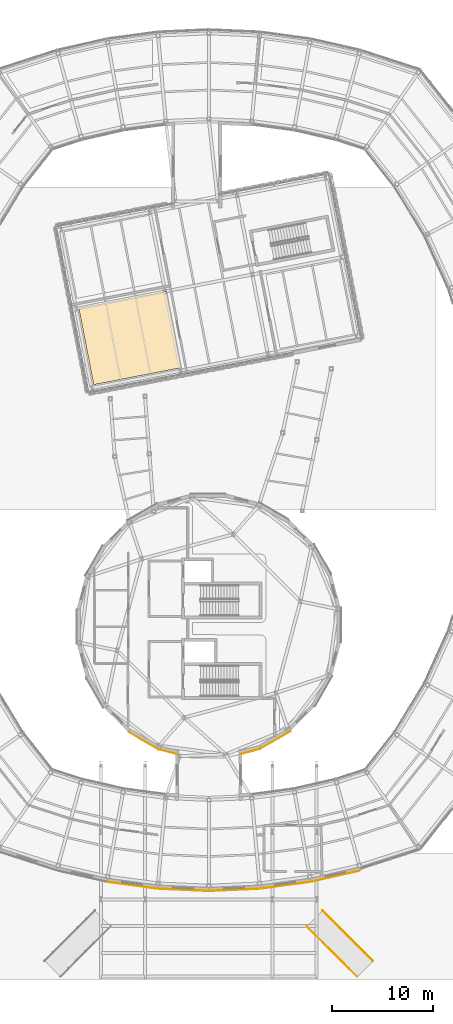
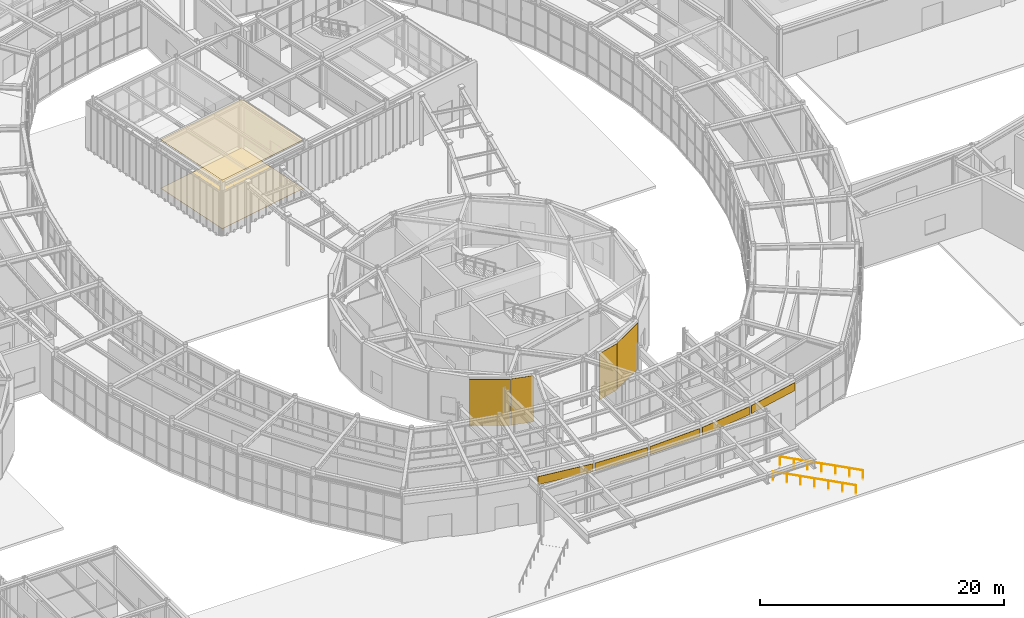
# One storey, part 86 of 97: 11 coverings, 2 railings.
"""IFC4 building model written with IfcOpenShell, lengths in metres."""

from ifc_helpers import new_model, si_unit, direction, frame, origin, origin_2d, place, context, subcontext, project, spatial, polyline, rectangle, circle, outline, extrude, material, layer, layer_set, type_object, element, save


model = new_model("IFC4")

# Units and contexts
model_context = context("Model", 3, precision=1e-05, world=origin(), true_north=direction((0.0, 1.0)))
body_context = subcontext(model_context, "Body", "Model", "MODEL_VIEW")
ifc_project = project(units=[si_unit("LENGTHUNIT", "METRE"), si_unit("AREAUNIT", "SQUARE_METRE"), si_unit("VOLUMEUNIT", "CUBIC_METRE"), si_unit("PLANEANGLEUNIT", "RADIAN"), si_unit("MASSUNIT", "GRAM", prefix="KILO")], contexts=[model_context])

# Site, building, storey
site_placement = place(None, origin())
site = spatial("IfcSite", under=ifc_project, at=site_placement, CompositionType="ELEMENT")
building_placement = place(site_placement, origin())
building = spatial("IfcBuilding", under=site, at=building_placement, Name="Varnklinge Art Gallery", CompositionType="ELEMENT")
storey_placement = place(building_placement, origin())
storey = spatial("IfcBuildingStorey", under=building, at=storey_placement, Name="L00", CompositionType="ELEMENT", Elevation=0.0)

# Coverings
ifc_material_1 = material(Name="Precast concrete C40/50", Category="concrete")
ifc_layer_1 = layer(ifc_material_1, 0.0400390625)
ifc_layer_set_1 = layer_set([ifc_layer_1], Name="Precast concrete C40/50")
covering_type_1 = type_object("IfcCoveringType", Name="CLD-WHT", PredefinedType="CLADDING", material=ifc_layer_set_1)
covering_1_placement = place(storey_placement, frame((67.90380859375, 12.782958984375, 3.830078125), z_axis=(0.0, 0.0, 1.0), x_axis=(0.990983199715, -0.133986185418, 0.0)))
element("IfcCovering", 1, at=covering_1_placement, inside=storey, type_object=covering_type_1, Name="L00 White Precast Foyer Fascia 34", PredefinedType="CLADDING", context=body_context, shape_type="SweptSolid", body=[
    extrude(rectangle(XDim=4.866455078125, YDim=0.0400390625, at=origin_2d()), origin(), (0.0, 0.0, 1.0), 0.800048828125),
])
for number, where, z_axis, x_axis, name in (
    (2, (72.961181640625, 12.328857421875, 3.830078125), (0.0, 0.0, 1.0), (0.999001995685, -0.044665564108, 0.0), "L00 White Precast Foyer Fascia 35"),
    (3, (78.038818359375, 12.328857421875, 3.830078125), (0.0, 0.0, 1.0), (0.999001995685, 0.044665564108, 0.0), "L00 White Precast Foyer Fascia 36"),
):
    element("IfcCovering", number, at=place(storey_placement, frame(where, z_axis=z_axis, x_axis=x_axis)), inside=storey, type_object=covering_type_1, Name=name, PredefinedType="CLADDING", context=body_context, shape_type="SweptSolid", body=[
        extrude(rectangle(XDim=4.86669921875, YDim=0.0400390625, at=origin_2d()), origin(), (0.0, 0.0, 1.0), 0.800048828125),
    ])
for number, where, z_axis, x_axis, name in (
    (4, (83.09619140625, 12.782958984375, 3.830078125), (0.0, 0.0, 1.0), (0.990983199715, 0.133986185418, 0.0), "L00 White Precast Foyer Fascia 37"),
    (5, (88.092529296875, 13.6875, 3.830078125), (0.0, 0.0, 1.0), (0.975071959883, 0.221888875454, 0.0), "L00 White Precast Foyer Fascia 38"),
):
    element("IfcCovering", number, at=place(storey_placement, frame(where, z_axis=z_axis, x_axis=x_axis)), inside=storey, type_object=covering_type_1, Name=name, PredefinedType="CLADDING", context=body_context, shape_type="SweptSolid", body=[
        extrude(rectangle(XDim=4.866455078125, YDim=0.0400390625, at=origin_2d()), origin(), (0.0, 0.0, 1.0), 0.800048828125),
    ])
ifc_material_2 = material(Name="Pre-weathered Zinc", Category="metal")
ifc_layer_2 = layer(ifc_material_2, 0.02490234375)
ifc_layer_set_2 = layer_set([ifc_layer_2], Name="Pre-weathered Zinc")
covering_type_2 = type_object("IfcCoveringType", Name="CLD-ZNC", PredefinedType="CLADDING", material=ifc_layer_set_2)
covering_2_placement = place(storey_placement, frame((82.127685546875, 27.200439453125, 0.02734375), z_axis=(0.0, 0.0, 1.0), x_axis=(-0.866025403784, -0.5, 0.0)))
element("IfcCovering", 6, at=covering_2_placement, inside=storey, type_object=covering_type_2, Name="L00 Brushed Zinc Drum Cladding EW-V4D-L00-05", PredefinedType="CLADDING", context=body_context, shape_type="SweptSolid", body=[
    extrude(rectangle(XDim=3.398681640625, YDim=0.02490234375, at=origin_2d()), origin(), (0.0, 0.0, 1.0), 4.6298828125),
])
covering_3_placement = place(storey_placement, frame((79.61767578125, 26.041748046875, 0.02734375), z_axis=(0.0, 0.0, 1.0), x_axis=(-0.965925826289, -0.258819045103, 0.0)))
element("IfcCovering", 7, at=covering_3_placement, inside=storey, type_object=covering_type_2, Name="L00 Brushed Zinc Drum Cladding EW-V4D-L00-06", PredefinedType="CLADDING", context=body_context, shape_type="SweptSolid", body=[
    extrude(rectangle(XDim=2.072509765625, YDim=0.02490234375, at=origin_2d()), origin(), (0.0, 0.0, 1.0), 4.6298828125),
])
covering_4_placement = place(storey_placement, frame((71.46923828125, 26.018310546875, 0.02734375), z_axis=(0.0, 0.0, 1.0), x_axis=(-0.965925826289, 0.258819045103, 0.0)))
element("IfcCovering", 8, at=covering_4_placement, inside=storey, type_object=covering_type_2, Name="L00 Brushed Zinc Drum Cladding EW-V4D-L00-07", PredefinedType="CLADDING", context=body_context, shape_type="SweptSolid", body=[
    extrude(rectangle(XDim=1.892578125, YDim=0.02490234375, at=origin_2d()), origin(), (0.0, 0.0, 1.0), 4.6298828125),
])
covering_5_placement = place(storey_placement, frame((69.0283203125, 27.1103515625, 0.02734375), z_axis=(0.0, 0.0, 1.0), x_axis=(-0.866025403784, 0.5, 0.0)))
element("IfcCovering", 9, at=covering_5_placement, inside=storey, type_object=covering_type_2, Name="L00 Brushed Zinc Drum Cladding EW-V4D-L00-08", PredefinedType="CLADDING", context=body_context, shape_type="SweptSolid", body=[
    extrude(rectangle(XDim=3.398681640625, YDim=0.02490234375, at=origin_2d()), origin(), (0.0, 0.0, 1.0), 4.6298828125),
])
ifc_material_3 = material(Name="Acoustic Mineral Tile", Category="mineral")
ifc_layer_3 = layer(ifc_material_3, 0.02490234375)
ifc_layer_set_3 = layer_set([ifc_layer_3], Name="Acoustic Mineral Tile")
covering_type_3 = type_object("IfcCoveringType", Name="CLG-AC", PredefinedType="CEILING", material=ifc_layer_set_3)
covering_6_placement = place(storey_placement, frame((0.0, 0.0, 4.85498046875)))
element("IfcCovering", 10, at=covering_6_placement, inside=storey, type_object=covering_type_3, Name="L00 Acoustic Mineral Ceiling 012", PredefinedType="CEILING", context=body_context, shape_type="SweptSolid", body=[
    extrude(outline(polyline([(71.279052734375, 71.679443359375), (62.62109375, 69.99658203125), (64.093994140625, 62.41845703125), (72.751953125, 64.101318359375), (71.279052734375, 71.679443359375)])), origin(), (0.0, 0.0, 1.0), 0.02490234375),
])
ifc_material_4 = material(Name="Polished Terrazzo Flooring", Category="stone")
ifc_layer_4 = layer(ifc_material_4, 0.02001953125)
ifc_layer_set_4 = layer_set([ifc_layer_4], Name="Polished Terrazzo Flooring")
covering_type_4 = type_object("IfcCoveringType", Name="FLR-STN", PredefinedType="FLOORING", material=ifc_layer_set_4)
covering_7_placement = place(storey_placement, origin())
element("IfcCovering", 11, at=covering_7_placement, inside=storey, type_object=covering_type_4, Name="L00 Gallery Terrazzo Flooring 012", PredefinedType="FLOORING", context=body_context, shape_type="SweptSolid", body=[
    extrude(outline(polyline([(71.279052734375, 71.679443359375), (62.62109375, 69.99658203125), (64.093994140625, 62.41845703125), (72.751953125, 64.101318359375), (71.279052734375, 71.679443359375)])), origin(), (0.0, 0.0, 1.0), 0.02001953125),
])

# Railings
ifc_material_5 = material(Name="Steel S355", Category="steel")
railing_type = type_object("IfcRailingType", Name="HR-01", PredefinedType="HANDRAIL", material=ifc_material_5)
for number, where, name in (
    (12, (91.780517578125, 5.280517578125, -0.10009765625), "L00 South Forecourt East Barrier-Free Ramp Handrail L"),
    (13, (90.219482421875, 3.719482421875, -0.10009765625), "L00 South Forecourt East Barrier-Free Ramp Handrail R"),
):
    element("IfcRailing", number, at=place(storey_placement, frame(where)), inside=storey, type_object=railing_type, Name=name, PredefinedType="HANDRAIL", context=body_context, shape_type="SweptSolid", body=[
        extrude(circle(Radius=0.02392578125, at=origin_2d()), frame((0.0, 0.0, 0.89599609375), z_axis=(-0.707035942981, 0.707035942981, 0.014154528155), x_axis=(-0.707106781187, -0.707106781187, 0.0)), (0.0, 0.0, 1.0), 7.07177734375),
        extrude(circle(Radius=0.02099609375, at=origin_2d()), origin(), (0.0, 0.0, 1.0), 0.871826171875),
        extrude(circle(Radius=0.02099609375, at=origin_2d()), frame((-0.833251953125, 0.833251953125, 0.0166015625)), (0.0, 0.0, 1.0), 0.871826171875),
        extrude(circle(Radius=0.02099609375, at=origin_2d()), frame((-1.666748046875, 1.666748046875, 0.033447265625)), (0.0, 0.0, 1.0), 0.871826171875),
        extrude(circle(Radius=0.02099609375, at=origin_2d()), frame((-2.5, 2.5, 0.050048828125)), (0.0, 0.0, 1.0), 0.871826171875),
        extrude(circle(Radius=0.02099609375, at=origin_2d()), frame((-3.333251953125, 3.333251953125, 0.066650390625)), (0.0, 0.0, 1.0), 0.871826171875),
        extrude(circle(Radius=0.02099609375, at=origin_2d()), frame((-4.166748046875, 4.166748046875, 0.08349609375)), (0.0, 0.0, 1.0), 0.871826171875),
        extrude(circle(Radius=0.02099609375, at=origin_2d()), frame((-5.0, 5.0, 0.10009765625)), (0.0, 0.0, 1.0), 0.871826171875),
    ])

save(model, "model.ifc")
